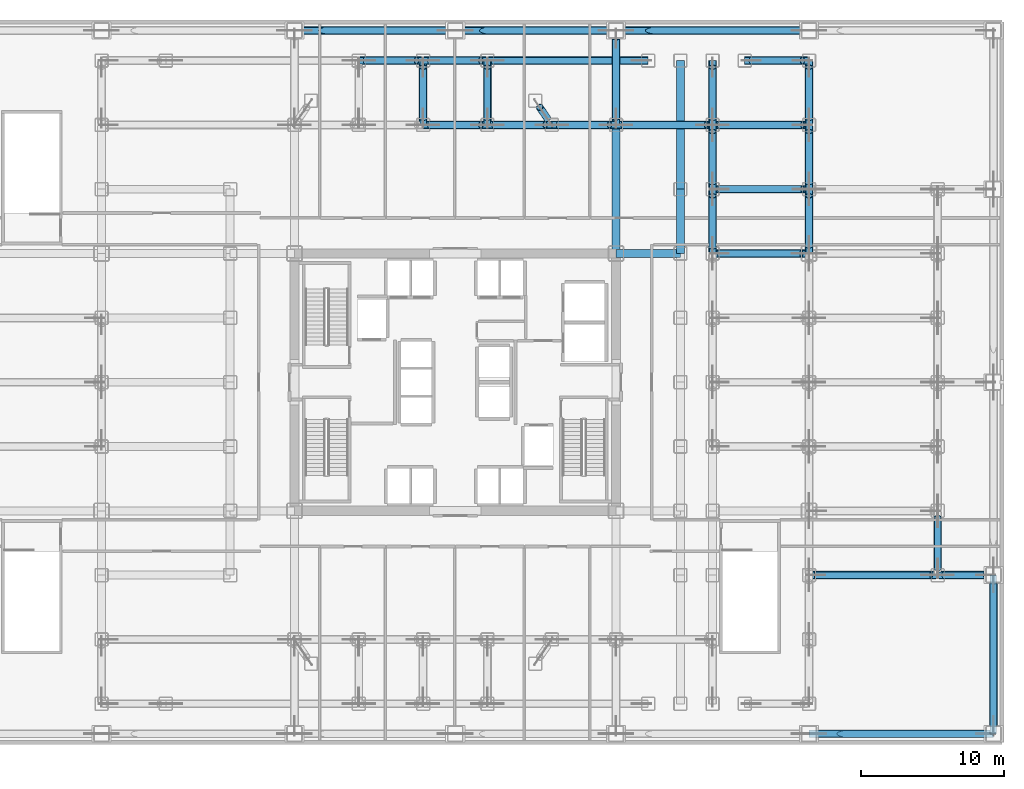
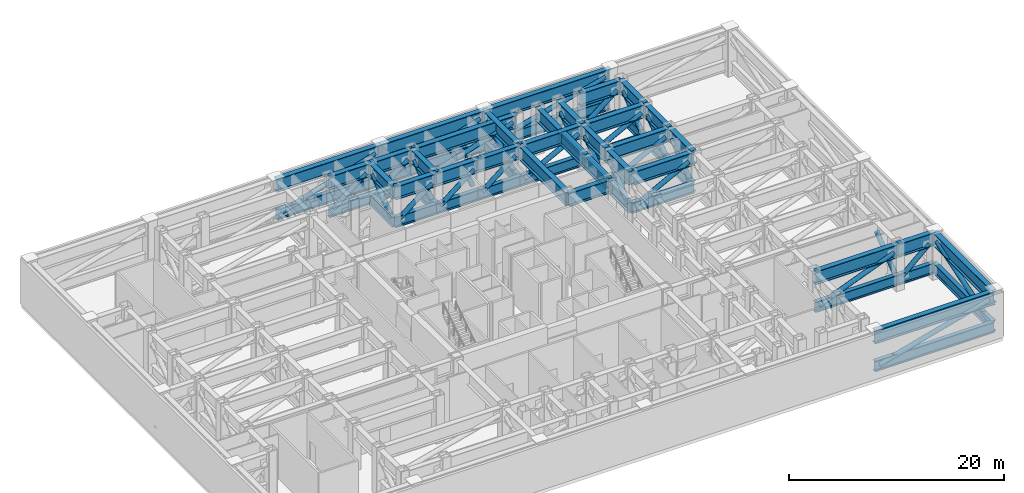
# One storey, part 4 of 17: 58 beams, 29 members.
"""IFC4 building model written with IfcOpenShell, lengths in metres."""

import ifcopenshell
import ifcopenshell.guid

model = None  # the IFC model being written
_history = None  # IfcOwnerHistory: only IFC2X3 demands one
_inside = {}  # id of a spatial element -> (the spatial element, [elements in it])
_under = {}  # id of a project, library or spatial element -> (it, [spatial elements below it])
_declared = {}  # id of a project -> (the project, [libraries it declares])
_typed = {}  # id of a type object -> (the type object, [elements of that type])
_made_of = {}  # id of a material, layer set ... -> (it, [elements and type objects made of it])


def new_model(schema):
    """Start an empty IFC model of exactly this schema.

    Asked for "IFC4X3", IfcOpenShell would pick the latest addendum, in which some entities
    have other attributes; the version numbers below select the first issue.
    IFC2X3 requires an IfcOwnerHistory on every rooted entity: one is made here for all.
    """
    global model, _history
    if schema == "IFC4X3":
        model = ifcopenshell.file(schema_version=(4, 3, 0, 0))
    else:
        model = ifcopenshell.file(schema=schema)
    _inside.clear()
    _under.clear()
    _declared.clear()
    _typed.clear()
    _made_of.clear()
    _history = None
    if model.schema == "IFC2X3":
        org = make("IfcOrganization", Name="unknown")
        user = make(
            "IfcPersonAndOrganization",
            ThePerson=make("IfcPerson", FamilyName="unknown"),
            TheOrganization=org,
        )
        app = make(
            "IfcApplication",
            ApplicationDeveloper=org,
            Version="unknown",
            ApplicationFullName="unknown",
            ApplicationIdentifier="unknown",
        )
        _history = make(
            "IfcOwnerHistory",
            OwningUser=user,
            OwningApplication=app,
            ChangeAction="ADDED",
            CreationDate=0,
        )
    return model


def make(cls, **values):
    """One entity of the class cls with the attributes given. An attribute that is None is left unset."""
    return model.create_entity(
        cls, **{name: value for name, value in values.items() if value is not None}
    )


def rooted(cls, **values):
    """An entity with a GlobalId (a new one), such as an element, a storey or a relation."""
    return make(cls, GlobalId=ifcopenshell.guid.new(), OwnerHistory=_history, **values)


def si_unit(unit_type, name, prefix=None):
    """IfcSIUnit, for example si_unit("LENGTHUNIT", "METRE", prefix="MILLI")."""
    return make("IfcSIUnit", UnitType=unit_type, Prefix=prefix, Name=name)


def assignment(units):
    """IfcUnitAssignment: the units of a project."""
    return None if units is None else make("IfcUnitAssignment", Units=units)


def point(xyz):
    """IfcCartesianPoint."""
    return None if xyz is None else make("IfcCartesianPoint", Coordinates=xyz)


def direction(xyz):
    """IfcDirection."""
    return None if xyz is None else make("IfcDirection", DirectionRatios=xyz)


def frame(location, z_axis=None, x_axis=None):
    """IfcAxis2Placement3D, a coordinate frame: its origin and axes. An axis left out is left unset."""
    return make(
        "IfcAxis2Placement3D",
        Location=point(location),
        Axis=direction(z_axis),
        RefDirection=direction(x_axis),
    )


def frame_2d(location, x_axis=None):
    """IfcAxis2Placement2D, a coordinate frame in the plane: its origin and x axis."""
    return make(
        "IfcAxis2Placement2D", Location=point(location), RefDirection=direction(x_axis)
    )


def origin():
    """The frame at (0, 0, 0) with its axes left unset."""
    return frame((0.0, 0.0, 0.0))


def origin_2d():
    """The frame at (0, 0) in the plane with its x axis left unset."""
    return frame_2d((0.0, 0.0))


def place(relative_to, where):
    """IfcLocalPlacement: puts the frame where relative to a parent placement (None: the world)."""
    return make(
        "IfcLocalPlacement", PlacementRelTo=relative_to, RelativePlacement=where
    )


def context(
    kind, dimensions, precision=None, world=None, true_north=None, identifier=None
):
    """IfcGeometricRepresentationContext, for example the 3D "Model" context."""
    return make(
        "IfcGeometricRepresentationContext",
        ContextIdentifier=identifier,
        ContextType=kind,
        CoordinateSpaceDimension=dimensions,
        Precision=precision,
        WorldCoordinateSystem=world,
        TrueNorth=true_north,
    )


def subcontext(parent, identifier, kind, view, scale=None):
    """IfcGeometricRepresentationSubContext, for example "Body" below "Model"."""
    return make(
        "IfcGeometricRepresentationSubContext",
        ContextIdentifier=identifier,
        ContextType=kind,
        ParentContext=parent,
        TargetScale=scale,
        TargetView=view,
    )


def project(units=None, contexts=None):
    """IfcProject with its units and contexts."""
    return rooted(
        "IfcProject",
        Name="project",
        RepresentationContexts=contexts,
        UnitsInContext=assignment(units),
    )


def spatial(cls, under=None, at=None, **own):
    """A site, building, storey or space (cls), placed at a placement, below another one or the project."""
    s = rooted(cls, ObjectPlacement=at, **own)
    if under is not None:
        _under.setdefault(under.id(), (under, []))[1].append(s)
    return s


def profile(cls, at=None, kind="AREA", **sizes):
    """A parametric profile (cls). Its sizes go by their IFC names, for example OverallWidth=200.0."""
    return make(cls, ProfileType=kind, Position=at, **sizes)


def hollow_circle(**sizes):
    """IfcCircleHollowProfileDef."""
    return profile("IfcCircleHollowProfileDef", **sizes)


def i_section(**sizes):
    """IfcIShapeProfileDef."""
    return profile("IfcIShapeProfileDef", **sizes)


def extrude(swept, where, along, depth):
    """IfcExtrudedAreaSolid: the profile swept, set in the frame where, extruded along a direction by depth."""
    return make(
        "IfcExtrudedAreaSolid",
        SweptArea=swept,
        Position=where,
        ExtrudedDirection=direction(along),
        Depth=depth,
    )


def shape(context_of_items, identifier, shape_type, items):
    """IfcShapeRepresentation: the items that make up one representation, for example the "Body"."""
    return make(
        "IfcShapeRepresentation",
        ContextOfItems=context_of_items,
        RepresentationIdentifier=identifier,
        RepresentationType=shape_type,
        Items=items,
    )


def source(mapping_origin, context_of_items, identifier, shape_type, items):
    """IfcRepresentationMap: a shape defined once, which mapped items show again and again."""
    return make(
        "IfcRepresentationMap",
        MappingOrigin=mapping_origin,
        MappedRepresentation=shape(context_of_items, identifier, shape_type, items),
    )


def transform(
    local_origin,
    x_axis=None,
    y_axis=None,
    z_axis=None,
    scale=None,
    scale2=None,
    scale3=None,
    uniform=True,
):
    """IfcCartesianTransformationOperator3D, or its non-uniform kind. x_axis, y_axis, z_axis: its Axis1, 2, 3."""
    if uniform:
        return make(
            "IfcCartesianTransformationOperator3D",
            Axis1=direction(x_axis),
            Axis2=direction(y_axis),
            LocalOrigin=point(local_origin),
            Scale=scale,
            Axis3=direction(z_axis),
        )
    return make(
        "IfcCartesianTransformationOperator3DnonUniform",
        Axis1=direction(x_axis),
        Axis2=direction(y_axis),
        LocalOrigin=point(local_origin),
        Scale=scale,
        Axis3=direction(z_axis),
        Scale2=scale2,
        Scale3=scale3,
    )


def mapped(mapping_source, mapping_target):
    """IfcMappedItem: shows the shape of a source again, moved by a transform."""
    return make(
        "IfcMappedItem", MappingSource=mapping_source, MappingTarget=mapping_target
    )


def material(Name=None, Category=None):
    """IfcMaterial."""
    return make("IfcMaterial", Name=Name, Category=Category)


def material_profile(
    of_material, cross_section, Name=None, Category=None, Priority=None
):
    """IfcMaterialProfile: a cross section and its material."""
    return make(
        "IfcMaterialProfile",
        Name=Name,
        Material=of_material,
        Profile=cross_section,
        Priority=Priority,
        Category=Category,
    )


def profile_set(profiles, Name=None, composite=None):
    """IfcMaterialProfileSet."""
    return make(
        "IfcMaterialProfileSet",
        Name=Name,
        MaterialProfiles=profiles,
        CompositeProfile=composite,
    )


def made_of(thing, what):
    """Note that an element or type object is made of a material, layer set ...; save() writes the relation."""
    if what is not None:
        _made_of.setdefault(what.id(), (what, []))[1].append(thing)
    return thing


def type_object(cls, material=None, **own):
    """A type object (cls), such as IfcWallType, which elements share."""
    return made_of(rooted(cls, **own), material)


def element(
    cls,
    number,
    at=None,
    inside=None,
    cuts=None,
    type_object=None,
    material=None,
    context=None,
    identifier="Body",
    shape_type=None,
    held_by="IfcProductDefinitionShape",
    body=None,
    shapes=None,
    **own,
):
    """One element of the class cls, such as IfcWall. Its Tag is "e" and its number.

    at: its placement. inside: the storey or other place that contains it. cuts: it is an
    opening in that element (IfcRelVoidsElement). A single representation is given by context,
    identifier, shape_type and body (its items); several are given by shapes. held_by: the class
    of the entity that holds the representations. save() writes the other relations.
    """
    e = rooted(cls, Tag="e%d" % number, ObjectPlacement=at, **own)
    if body is not None:
        shapes = [shape(context, identifier, shape_type, body)]
    if shapes is not None:
        e.Representation = make(held_by, Representations=shapes)
    if inside is not None:
        _inside.setdefault(inside.id(), (inside, []))[1].append(e)
    if cuts is not None:
        rooted(
            "IfcRelVoidsElement", RelatingBuildingElement=cuts, RelatedOpeningElement=e
        )
    if type_object is not None:
        _typed.setdefault(type_object.id(), (type_object, []))[1].append(e)
    return made_of(e, material)


def aggregate(whole, parts):
    """IfcRelAggregates: a whole, such as a stair, and the parts it consists of."""
    return rooted("IfcRelAggregates", RelatingObject=whole, RelatedObjects=parts)


def save(model, path):
    """Write the relations noted so far, then the file.

    IfcRelAggregates (storeys below a building ...), IfcRelContainedInSpatialStructure (elements
    in a storey), IfcRelDefinesByType, IfcRelAssociatesMaterial and IfcRelDeclares: one each for
    every whole, place, type object, material and project.
    """
    for whole, parts in _under.values():
        aggregate(whole, parts)
    for where, things in _inside.values():
        rooted(
            "IfcRelContainedInSpatialStructure",
            RelatedElements=things,
            RelatingStructure=where,
        )
    for kind, things in _typed.values():
        rooted("IfcRelDefinesByType", RelatedObjects=things, RelatingType=kind)
    for what, things in _made_of.values():
        rooted("IfcRelAssociatesMaterial", RelatedObjects=things, RelatingMaterial=what)
    for by, libraries in _declared.values():
        rooted("IfcRelDeclares", RelatingContext=by, RelatedDefinitions=libraries)
    model.write(path)


model = new_model("IFC4")

# Units and contexts
model_context = context("Model", 3, precision=1e-05, world=origin(), true_north=direction((0.0, 1.0)))
body_context = subcontext(model_context, "Body", "Model", "MODEL_VIEW")
ifc_project = project(units=[si_unit("LENGTHUNIT", "METRE"), si_unit("AREAUNIT", "SQUARE_METRE"), si_unit("VOLUMEUNIT", "CUBIC_METRE"), si_unit("PLANEANGLEUNIT", "RADIAN"), si_unit("MASSUNIT", "GRAM", prefix="KILO")], contexts=[model_context])

# Site, building, storey
site_placement = place(None, origin())
site = spatial("IfcSite", under=ifc_project, at=site_placement, CompositionType="ELEMENT")
building_placement = place(site_placement, origin())
building = spatial("IfcBuilding", under=site, at=building_placement, Name="Nefas-Gora Pilgrimage Tower", CompositionType="ELEMENT")
storey_placement = place(building_placement, frame((0.0, 0.0, 27.60009765625)))
storey = spatial("IfcBuildingStorey", under=building, at=storey_placement, Name="L05", CompositionType="ELEMENT", Elevation=27.60009765625)

# Beams
ifc_material = material(Name="Steel S460", Category="steel")
ifc_material_profile_1 = material_profile(ifc_material, i_section(OverallWidth=0.550048828125, OverallDepth=1.5, WebThickness=0.031982421875, FlangeThickness=0.06005859375, FilletRadius=0.02392578125, at=origin_2d()), Name="WPG 1500x550x32x60")
ifc_profile_set_1 = profile_set([ifc_material_profile_1], Name="Steel S460")
beam_type_1 = type_object("IfcBeamType", Name="BM-TR-1500", PredefinedType="BEAM", material=ifc_profile_set_1)
shared_shape_1 = source(origin(), body_context, "Body", "SweptSolid", [
    extrude(i_section(OverallWidth=0.550048828125, OverallDepth=1.5, WebThickness=0.031982421875, FlangeThickness=0.06005859375, FilletRadius=0.02392578125, at=origin_2d()), origin(), (0.0, 0.0, 1.0), 13.5),
])
beam_1_placement = place(storey_placement, frame((11.25, 24.60009765625, 4.39990234375), z_axis=(1.0, 0.0, 0.0), x_axis=(0.0, 1.0, 0.0)))
element("IfcBeam", 1, at=beam_1_placement, inside=storey, type_object=beam_type_1, Name="L05 Transfer Truss Top Chord TB-01.93", PredefinedType="BEAM", context=body_context, shape_type="MappedRepresentation", body=[
    mapped(shared_shape_1, transform((0.0, 0.0, 0.0), x_axis=(1.0, 0.0, 0.0), y_axis=(0.0, 1.0, 0.0), z_axis=(0.0, 0.0, 1.0), scale=1.0)),
])
shared_shape_2 = source(origin(), body_context, "Body", "SweptSolid", [
    extrude(i_section(OverallWidth=0.550048828125, OverallDepth=1.5, WebThickness=0.031982421875, FlangeThickness=0.06005859375, FilletRadius=0.02392578125, at=origin_2d()), origin(), (0.0, 0.0, 1.0), 11.10009765625),
])
beam_2_placement = place(storey_placement, frame((37.64990234375, -24.60009765625, 4.39990234375), z_axis=(0.0, 1.0, 0.0), x_axis=(-1.0, 0.0, 0.0)))
element("IfcBeam", 2, at=beam_2_placement, inside=storey, type_object=beam_type_1, Name="L05 Transfer Truss Top Chord TB-01.149", PredefinedType="BEAM", context=body_context, shape_type="MappedRepresentation", body=[
    mapped(shared_shape_2, transform((0.0, 0.0, 0.0), x_axis=(1.0, 0.0, 0.0), y_axis=(0.0, 1.0, 0.0), z_axis=(0.0, 0.0, 1.0), scale=1.0)),
])
ifc_material_profile_2 = material_profile(ifc_material, i_section(OverallWidth=0.449951171875, OverallDepth=1.199951171875, WebThickness=0.028076171875, FlangeThickness=0.050048828125, FilletRadius=0.02392578125, at=origin_2d()), Name="WPG 1200x450x28x50")
ifc_profile_set_2 = profile_set([ifc_material_profile_2], Name="Steel S460")
beam_type_2 = type_object("IfcBeamType", Name="BM-TR-1200", PredefinedType="BEAM", material=ifc_profile_set_2)
shared_shape_3 = source(origin(), body_context, "Body", "SweptSolid", [
    extrude(i_section(OverallWidth=0.449951171875, OverallDepth=1.199951171875, WebThickness=0.028076171875, FlangeThickness=0.050048828125, FilletRadius=0.02392578125, at=origin_2d()), origin(), (0.0, 0.0, 1.0), 11.10009765625),
])
beam_3_placement = place(storey_placement, frame((37.64990234375, -24.60009765625, 1.0498046875), z_axis=(0.0, 1.0, 0.0), x_axis=(-1.0, 0.0, 0.0)))
element("IfcBeam", 3, at=beam_3_placement, inside=storey, type_object=beam_type_2, Name="L05 Transfer Truss Bottom Chord TB-02.149", PredefinedType="BEAM", context=body_context, shape_type="MappedRepresentation", body=[
    mapped(shared_shape_3, transform((0.0, 0.0, 0.0), x_axis=(1.0, 0.0, 0.0), y_axis=(0.0, 1.0, 0.0), z_axis=(0.0, 0.0, 1.0), scale=1.0)),
])

# Member
ifc_material_profile_3 = material_profile(ifc_material, hollow_circle(Radius=0.25390625, WallThickness=0.031982421875, at=origin_2d()), Name="CHS 508x32")
ifc_profile_set_3 = profile_set([ifc_material_profile_3], Name="Steel S460")
member_type = type_object("IfcMemberType", Name="MEM-TRUSS-508", PredefinedType="BRACE", material=ifc_profile_set_3)
shared_shape_4 = source(origin(), body_context, "Body", "SweptSolid", [
    extrude(hollow_circle(Radius=0.25390625, WallThickness=0.031982421875, at=origin_2d()), origin(), (0.0, 0.0, 1.0), 10.524169921875),
])
member_1_placement = place(storey_placement, frame((37.64990234375, -24.06201171875, 1.02197265625), z_axis=(0.0, 0.952475042188, 0.304616634492), x_axis=(-1.0, 0.0, 0.0)))
element("IfcMember", 4, at=member_1_placement, inside=storey, type_object=member_type, Name="L05 Transfer Truss Web Diagonal TBR-01.149", PredefinedType="BRACE", context=body_context, shape_type="MappedRepresentation", body=[
    mapped(shared_shape_4, transform((0.0, 0.0, 0.0), x_axis=(1.0, 0.0, 0.0), y_axis=(0.0, 1.0, 0.0), z_axis=(0.0, 0.0, 1.0), scale=1.0)),
])

# Beams
shared_shape_5 = source(origin(), body_context, "Body", "SweptSolid", [
    extrude(i_section(OverallWidth=0.550048828125, OverallDepth=1.5, WebThickness=0.031982421875, FlangeThickness=0.06005859375, FilletRadius=0.02392578125, at=origin_2d()), origin(), (0.0, 0.0, 1.0), 12.89990234375),
])
beam_4_placement = place(storey_placement, frame((24.75, -24.60009765625, 4.39990234375), z_axis=(1.0, 0.0, 0.0), x_axis=(0.0, 1.0, 0.0)))
element("IfcBeam", 5, at=beam_4_placement, inside=storey, type_object=beam_type_1, Name="L05 Transfer Truss Top Chord TB-01.121", PredefinedType="BEAM", context=body_context, shape_type="MappedRepresentation", body=[
    mapped(shared_shape_5, transform((0.0, 0.0, 0.0), x_axis=(1.0, 0.0, 0.0), y_axis=(0.0, 1.0, 0.0), z_axis=(0.0, 0.0, 1.0), scale=1.0)),
])
shared_shape_6 = source(origin(), body_context, "Body", "SweptSolid", [
    extrude(i_section(OverallWidth=0.449951171875, OverallDepth=1.199951171875, WebThickness=0.028076171875, FlangeThickness=0.050048828125, FilletRadius=0.02392578125, at=origin_2d()), origin(), (0.0, 0.0, 1.0), 12.89990234375),
])
beam_5_placement = place(storey_placement, frame((24.75, -24.60009765625, 1.0498046875), z_axis=(1.0, 0.0, 0.0), x_axis=(0.0, 1.0, 0.0)))
element("IfcBeam", 6, at=beam_5_placement, inside=storey, type_object=beam_type_2, Name="L05 Transfer Truss Bottom Chord TB-02.121", PredefinedType="BEAM", context=body_context, shape_type="MappedRepresentation", body=[
    mapped(shared_shape_6, transform((0.0, 0.0, 0.0), x_axis=(1.0, 0.0, 0.0), y_axis=(0.0, 1.0, 0.0), z_axis=(0.0, 0.0, 1.0), scale=1.0)),
])

# Member
shared_shape_7 = source(origin(), body_context, "Body", "SweptSolid", [
    extrude(hollow_circle(Radius=0.25390625, WallThickness=0.031982421875, at=origin_2d()), origin(), (0.0, 0.0, 1.0), 12.263427734375),
])
member_2_placement = place(storey_placement, frame((25.2880859375, -24.60009765625, 0.998046875), z_axis=(0.964162244211, 0.0, 0.26531333709), x_axis=(0.0, 1.0, 0.0)))
element("IfcMember", 7, at=member_2_placement, inside=storey, type_object=member_type, Name="L05 Transfer Truss Web Diagonal TBR-01.121", PredefinedType="BRACE", context=body_context, shape_type="MappedRepresentation", body=[
    mapped(shared_shape_7, transform((0.0, 0.0, 0.0), x_axis=(1.0, 0.0, 0.0), y_axis=(0.0, 1.0, 0.0), z_axis=(0.0, 0.0, 1.0), scale=1.0)),
])

# Beam
shared_shape_8 = source(origin(), body_context, "Body", "SweptSolid", [
    extrude(i_section(OverallWidth=0.449951171875, OverallDepth=1.199951171875, WebThickness=0.028076171875, FlangeThickness=0.050048828125, FilletRadius=0.02392578125, at=origin_2d()), origin(), (0.0, 0.0, 1.0), 13.5),
])
beam_6_placement = place(storey_placement, frame((11.25, 24.60009765625, 1.0498046875), z_axis=(1.0, 0.0, 0.0), x_axis=(0.0, 1.0, 0.0)))
element("IfcBeam", 8, at=beam_6_placement, inside=storey, type_object=beam_type_2, Name="L05 Transfer Truss Bottom Chord TB-02.93", PredefinedType="BEAM", context=body_context, shape_type="MappedRepresentation", body=[
    mapped(shared_shape_8, transform((0.0, 0.0, 0.0), x_axis=(1.0, 0.0, 0.0), y_axis=(0.0, 1.0, 0.0), z_axis=(0.0, 0.0, 1.0), scale=1.0)),
])

# Member
shared_shape_9 = source(origin(), body_context, "Body", "SweptSolid", [
    extrude(hollow_circle(Radius=0.25390625, WallThickness=0.031982421875, at=origin_2d()), origin(), (0.0, 0.0, 1.0), 12.84619140625),
])
member_3_placement = place(storey_placement, frame((11.7880859375, 24.60009765625, 0.991455078125), z_axis=(0.967124000788, 0.0, 0.254305263609), x_axis=(0.0, 1.0, 0.0)))
element("IfcMember", 9, at=member_3_placement, inside=storey, type_object=member_type, Name="L05 Transfer Truss Web Diagonal TBR-01.93", PredefinedType="BRACE", context=body_context, shape_type="MappedRepresentation", body=[
    mapped(shared_shape_9, transform((0.0, 0.0, 0.0), x_axis=(1.0, 0.0, 0.0), y_axis=(0.0, 1.0, 0.0), z_axis=(0.0, 0.0, 1.0), scale=1.0)),
])

# Beams
shared_shape_10 = source(origin(), body_context, "Body", "SweptSolid", [
    extrude(i_section(OverallWidth=0.550048828125, OverallDepth=1.5, WebThickness=0.031982421875, FlangeThickness=0.06005859375, FilletRadius=0.02392578125, at=origin_2d()), origin(), (0.0, 0.0, 1.0), 3.89990234375),
])
beam_7_placement = place(storey_placement, frame((33.75, -13.5, 4.39990234375), z_axis=(1.0, 0.0, 0.0), x_axis=(0.0, 1.0, 0.0)))
element("IfcBeam", 10, at=beam_7_placement, inside=storey, type_object=beam_type_1, Name="L05 Transfer Truss Top Chord TB-01.141", PredefinedType="BEAM", context=body_context, shape_type="MappedRepresentation", body=[
    mapped(shared_shape_10, transform((0.0, 0.0, 0.0), x_axis=(1.0, 0.0, 0.0), y_axis=(0.0, 1.0, 0.0), z_axis=(0.0, 0.0, 1.0), scale=1.0)),
])
shared_shape_11 = source(origin(), body_context, "Body", "SweptSolid", [
    extrude(i_section(OverallWidth=0.449951171875, OverallDepth=1.199951171875, WebThickness=0.028076171875, FlangeThickness=0.050048828125, FilletRadius=0.02392578125, at=origin_2d()), origin(), (0.0, 0.0, 1.0), 3.89990234375),
])
beam_8_placement = place(storey_placement, frame((33.75, -13.5, 1.0498046875), z_axis=(1.0, 0.0, 0.0), x_axis=(0.0, 1.0, 0.0)))
element("IfcBeam", 11, at=beam_8_placement, inside=storey, type_object=beam_type_2, Name="L05 Transfer Truss Bottom Chord TB-02.141", PredefinedType="BEAM", context=body_context, shape_type="MappedRepresentation", body=[
    mapped(shared_shape_11, transform((0.0, 0.0, 0.0), x_axis=(1.0, 0.0, 0.0), y_axis=(0.0, 1.0, 0.0), z_axis=(0.0, 0.0, 1.0), scale=1.0)),
])

# Member
shared_shape_12 = source(origin(), body_context, "Body", "SweptSolid", [
    extrude(hollow_circle(Radius=0.25390625, WallThickness=0.031982421875, at=origin_2d()), origin(), (0.0, 0.0, 1.0), 3.92041015625),
])
member_4_placement = place(storey_placement, frame((34.212890625, -13.5, 1.271240234375), z_axis=(0.739520063615, 0.0, 0.673134515168), x_axis=(0.0, 1.0, 0.0)))
element("IfcMember", 12, at=member_4_placement, inside=storey, type_object=member_type, Name="L05 Transfer Truss Web Diagonal TBR-01.141", PredefinedType="BRACE", context=body_context, shape_type="MappedRepresentation", body=[
    mapped(shared_shape_12, transform((0.0, 0.0, 0.0), x_axis=(1.0, 0.0, 0.0), y_axis=(0.0, 1.0, 0.0), z_axis=(0.0, 0.0, 1.0), scale=1.0)),
])

# Beams
shared_shape_13 = source(origin(), body_context, "Body", "SweptSolid", [
    extrude(i_section(OverallWidth=0.550048828125, OverallDepth=1.5, WebThickness=0.031982421875, FlangeThickness=0.06005859375, FilletRadius=0.02392578125, at=origin_2d()), origin(), (0.0, 0.0, 1.0), 4.5),
])
for number, where, z_axis, x_axis, name in (
    (13, (-6.75, 22.5, 4.39990234375), (1.0, 0.0, 0.0), (0.0, 1.0, 0.0), "L05 Transfer Truss Top Chord TB-01.67"),
    (14, (-2.25, 18.0, 4.39990234375), (0.0, 1.0, 0.0), (-1.0, 0.0, 0.0), "L05 Transfer Truss Top Chord TB-01.71"),
    (15, (-2.25, 18.0, 4.39990234375), (1.0, 0.0, 0.0), (0.0, 1.0, 0.0), "L05 Transfer Truss Top Chord TB-01.72"),
    (16, (-2.25, 22.5, 4.39990234375), (1.0, 0.0, 0.0), (0.0, 1.0, 0.0), "L05 Transfer Truss Top Chord TB-01.73"),
    (17, (2.25, 18.0, 4.39990234375), (0.0, 1.0, 0.0), (-1.0, 0.0, 0.0), "L05 Transfer Truss Top Chord TB-01.79"),
    (18, (2.25, 18.0, 4.39990234375), (1.0, 0.0, 0.0), (0.0, 1.0, 0.0), "L05 Transfer Truss Top Chord TB-01.80"),
    (19, (6.75, 18.0, 4.39990234375), (1.0, 0.0, 0.0), (0.0, 1.0, 0.0), "L05 Transfer Truss Top Chord TB-01.83"),
    (20, (11.25, 9.0, 4.39990234375), (1.0, 0.0, 0.0), (0.0, 1.0, 0.0), "L05 Transfer Truss Top Chord TB-01.90"),
    (21, (15.75, 9.0, 4.39990234375), (0.0, 1.0, 0.0), (-1.0, 0.0, 0.0), "L05 Transfer Truss Top Chord TB-01.100"),
    (22, (18.0, 9.0, 4.39990234375), (0.0, 1.0, 0.0), (-1.0, 0.0, 0.0), "L05 Transfer Truss Top Chord TB-01.113"),
    (23, (18.0, 13.5, 4.39990234375), (0.0, 1.0, 0.0), (-1.0, 0.0, 0.0), "L05 Transfer Truss Top Chord TB-01.115"),
    (24, (18.0, 18.0, 4.39990234375), (0.0, 1.0, 0.0), (-1.0, 0.0, 0.0), "L05 Transfer Truss Top Chord TB-01.117"),
    (25, (20.25, 22.5, 4.39990234375), (1.0, 0.0, 0.0), (0.0, 1.0, 0.0), "L05 Transfer Truss Top Chord TB-01.120"),
    (26, (24.75, 9.0, 4.39990234375), (0.0, 1.0, 0.0), (-1.0, 0.0, 0.0), "L05 Transfer Truss Top Chord TB-01.134"),
    (27, (24.75, 13.5, 4.39990234375), (0.0, 1.0, 0.0), (-1.0, 0.0, 0.0), "L05 Transfer Truss Top Chord TB-01.136"),
    (28, (24.75, 18.0, 4.39990234375), (0.0, 1.0, 0.0), (-1.0, 0.0, 0.0), "L05 Transfer Truss Top Chord TB-01.138"),
):
    element("IfcBeam", number, at=place(storey_placement, frame(where, z_axis=z_axis, x_axis=x_axis)), inside=storey, type_object=beam_type_1, Name=name, PredefinedType="BEAM", context=body_context, shape_type="MappedRepresentation", body=[
        mapped(shared_shape_13, transform((0.0, 0.0, 0.0), x_axis=(1.0, 0.0, 0.0), y_axis=(0.0, 1.0, 0.0), z_axis=(0.0, 0.0, 1.0), scale=1.0)),
    ])
shared_shape_14 = source(origin(), body_context, "Body", "SweptSolid", [
    extrude(i_section(OverallWidth=0.449951171875, OverallDepth=1.199951171875, WebThickness=0.028076171875, FlangeThickness=0.050048828125, FilletRadius=0.02392578125, at=origin_2d()), origin(), (0.0, 0.0, 1.0), 4.5),
])
for number, where, z_axis, x_axis, name in (
    (29, (-6.75, 22.5, 1.0498046875), (1.0, 0.0, 0.0), (0.0, 1.0, 0.0), "L05 Transfer Truss Bottom Chord TB-02.67"),
    (30, (-2.25, 18.0, 1.0498046875), (0.0, 1.0, 0.0), (-1.0, 0.0, 0.0), "L05 Transfer Truss Bottom Chord TB-02.71"),
    (31, (-2.25, 18.0, 1.0498046875), (1.0, 0.0, 0.0), (0.0, 1.0, 0.0), "L05 Transfer Truss Bottom Chord TB-02.72"),
    (32, (-2.25, 22.5, 1.0498046875), (1.0, 0.0, 0.0), (0.0, 1.0, 0.0), "L05 Transfer Truss Bottom Chord TB-02.73"),
    (33, (2.25, 18.0, 1.0498046875), (0.0, 1.0, 0.0), (-1.0, 0.0, 0.0), "L05 Transfer Truss Bottom Chord TB-02.79"),
    (34, (2.25, 18.0, 1.0498046875), (1.0, 0.0, 0.0), (0.0, 1.0, 0.0), "L05 Transfer Truss Bottom Chord TB-02.80"),
    (35, (6.75, 18.0, 1.0498046875), (1.0, 0.0, 0.0), (0.0, 1.0, 0.0), "L05 Transfer Truss Bottom Chord TB-02.83"),
    (36, (18.0, 9.0, 1.0498046875), (0.0, 1.0, 0.0), (-1.0, 0.0, 0.0), "L05 Transfer Truss Bottom Chord TB-02.113"),
    (37, (18.0, 13.5, 1.0498046875), (0.0, 1.0, 0.0), (-1.0, 0.0, 0.0), "L05 Transfer Truss Bottom Chord TB-02.115"),
    (38, (18.0, 18.0, 1.0498046875), (0.0, 1.0, 0.0), (-1.0, 0.0, 0.0), "L05 Transfer Truss Bottom Chord TB-02.117"),
    (39, (20.25, 22.5, 1.0498046875), (1.0, 0.0, 0.0), (0.0, 1.0, 0.0), "L05 Transfer Truss Bottom Chord TB-02.120"),
    (40, (24.75, 9.0, 1.0498046875), (0.0, 1.0, 0.0), (-1.0, 0.0, 0.0), "L05 Transfer Truss Bottom Chord TB-02.134"),
    (41, (24.75, 13.5, 1.0498046875), (0.0, 1.0, 0.0), (-1.0, 0.0, 0.0), "L05 Transfer Truss Bottom Chord TB-02.136"),
    (42, (24.75, 18.0, 1.0498046875), (0.0, 1.0, 0.0), (-1.0, 0.0, 0.0), "L05 Transfer Truss Bottom Chord TB-02.138"),
):
    element("IfcBeam", number, at=place(storey_placement, frame(where, z_axis=z_axis, x_axis=x_axis)), inside=storey, type_object=beam_type_2, Name=name, PredefinedType="BEAM", context=body_context, shape_type="MappedRepresentation", body=[
        mapped(shared_shape_14, transform((0.0, 0.0, 0.0), x_axis=(1.0, 0.0, 0.0), y_axis=(0.0, 1.0, 0.0), z_axis=(0.0, 0.0, 1.0), scale=1.0)),
    ])

# Members
shared_shape_15 = source(origin(), body_context, "Body", "SweptSolid", [
    extrude(hollow_circle(Radius=0.25390625, WallThickness=0.031982421875, at=origin_2d()), origin(), (0.0, 0.0, 1.0), 4.552490234375),
])
for number, where, z_axis, x_axis, name in (
    (43, (-6.287109375, 22.5, 1.215087890625), (0.785114702189, 0.0, 0.619350389042), (0.0, 1.0, 0.0), "L05 Transfer Truss Web Diagonal TBR-01.67"),
    (44, (-2.25, 18.462890625, 1.215087890625), (0.0, 0.785114702189, 0.619350389042), (-1.0, 0.0, 0.0), "L05 Transfer Truss Web Diagonal TBR-01.71"),
    (45, (-1.787109375, 18.0, 1.215087890625), (0.785114702189, 0.0, 0.619350389042), (0.0, 1.0, 0.0), "L05 Transfer Truss Web Diagonal TBR-01.72"),
    (46, (-1.787109375, 22.5, 1.215087890625), (0.785114702189, 0.0, 0.619350389042), (0.0, 1.0, 0.0), "L05 Transfer Truss Web Diagonal TBR-01.73"),
    (47, (2.25, 18.462890625, 1.215087890625), (0.0, 0.785114702189, 0.619350389042), (-1.0, 0.0, 0.0), "L05 Transfer Truss Web Diagonal TBR-01.79"),
    (48, (2.712890625, 18.0, 1.215087890625), (0.785114702189, 0.0, 0.619350389042), (0.0, 1.0, 0.0), "L05 Transfer Truss Web Diagonal TBR-01.80"),
    (49, (7.212890625, 18.0, 1.215087890625), (0.785114702189, 0.0, 0.619350389042), (0.0, 1.0, 0.0), "L05 Transfer Truss Web Diagonal TBR-01.83"),
    (50, (18.0, 9.462890625, 1.215087890625), (0.0, 0.785114702189, 0.619350389042), (-1.0, 0.0, 0.0), "L05 Transfer Truss Web Diagonal TBR-01.113"),
    (51, (18.0, 13.962890625, 1.215087890625), (0.0, 0.785114702189, 0.619350389042), (-1.0, 0.0, 0.0), "L05 Transfer Truss Web Diagonal TBR-01.115"),
    (52, (18.0, 18.462890625, 1.215087890625), (0.0, 0.785114702189, 0.619350389042), (-1.0, 0.0, 0.0), "L05 Transfer Truss Web Diagonal TBR-01.117"),
    (53, (20.712890625, 22.5, 1.215087890625), (0.785114702189, 0.0, 0.619350389042), (0.0, 1.0, 0.0), "L05 Transfer Truss Web Diagonal TBR-01.120"),
    (54, (24.75, 13.962890625, 1.215087890625), (0.0, 0.785114702189, 0.619350389042), (-1.0, 0.0, 0.0), "L05 Transfer Truss Web Diagonal TBR-01.136"),
    (55, (24.75, 18.462890625, 1.215087890625), (0.0, 0.785114702189, 0.619350389042), (-1.0, 0.0, 0.0), "L05 Transfer Truss Web Diagonal TBR-01.138"),
    (56, (33.75, -13.037109375, 1.215087890625), (0.0, 0.785114702189, 0.619350389042), (-1.0, 0.0, 0.0), "L05 Transfer Truss Web Diagonal TBR-01.140"),
):
    element("IfcMember", number, at=place(storey_placement, frame(where, z_axis=z_axis, x_axis=x_axis)), inside=storey, type_object=member_type, Name=name, PredefinedType="BRACE", context=body_context, shape_type="MappedRepresentation", body=[
        mapped(shared_shape_15, transform((0.0, 0.0, 0.0), x_axis=(1.0, 0.0, 0.0), y_axis=(0.0, 1.0, 0.0), z_axis=(0.0, 0.0, 1.0), scale=1.0)),
    ])

# Beams
shared_shape_16 = source(origin(), body_context, "Body", "SweptSolid", [
    extrude(i_section(OverallWidth=0.550048828125, OverallDepth=1.5, WebThickness=0.031982421875, FlangeThickness=0.06005859375, FilletRadius=0.02392578125, at=origin_2d()), origin(), (0.0, 0.0, 1.0), 9.0),
])
for number, where, z_axis, x_axis, name in (
    (57, (11.25, 9.0, 4.39990234375), (0.0, 1.0, 0.0), (-1.0, 0.0, 0.0), "L05 Transfer Truss Top Chord TB-01.89"),
    (58, (15.75, 13.5, 4.39990234375), (0.0, 1.0, 0.0), (-1.0, 0.0, 0.0), "L05 Transfer Truss Top Chord TB-01.101"),
    (59, (24.75, -13.5, 4.39990234375), (1.0, 0.0, 0.0), (0.0, 1.0, 0.0), "L05 Transfer Truss Top Chord TB-01.125"),
):
    element("IfcBeam", number, at=place(storey_placement, frame(where, z_axis=z_axis, x_axis=x_axis)), inside=storey, type_object=beam_type_1, Name=name, PredefinedType="BEAM", context=body_context, shape_type="MappedRepresentation", body=[
        mapped(shared_shape_16, transform((0.0, 0.0, 0.0), x_axis=(1.0, 0.0, 0.0), y_axis=(0.0, 1.0, 0.0), z_axis=(0.0, 0.0, 1.0), scale=1.0)),
    ])
shared_shape_17 = source(origin(), body_context, "Body", "SweptSolid", [
    extrude(i_section(OverallWidth=0.449951171875, OverallDepth=1.199951171875, WebThickness=0.028076171875, FlangeThickness=0.050048828125, FilletRadius=0.02392578125, at=origin_2d()), origin(), (0.0, 0.0, 1.0), 9.0),
])
beam_9_placement = place(storey_placement, frame((24.75, -13.5, 1.0498046875), z_axis=(1.0, 0.0, 0.0), x_axis=(0.0, 1.0, 0.0)))
element("IfcBeam", 60, at=beam_9_placement, inside=storey, type_object=beam_type_2, Name="L05 Transfer Truss Bottom Chord TB-02.125", PredefinedType="BEAM", context=body_context, shape_type="MappedRepresentation", body=[
    mapped(shared_shape_17, transform((0.0, 0.0, 0.0), x_axis=(1.0, 0.0, 0.0), y_axis=(0.0, 1.0, 0.0), z_axis=(0.0, 0.0, 1.0), scale=1.0)),
])

# Member
shared_shape_18 = source(origin(), body_context, "Body", "SweptSolid", [
    extrude(hollow_circle(Radius=0.25390625, WallThickness=0.031982421875, at=origin_2d()), origin(), (0.0, 0.0, 1.0), 8.6796875),
])
member_5_placement = place(storey_placement, frame((25.212890625, -13.5, 1.032470703125), z_axis=(0.930248726391, 0.0, 0.366929566877), x_axis=(0.0, 1.0, 0.0)))
element("IfcMember", 61, at=member_5_placement, inside=storey, type_object=member_type, Name="L05 Transfer Truss Web Diagonal TBR-01.125", PredefinedType="BRACE", context=body_context, shape_type="MappedRepresentation", body=[
    mapped(shared_shape_18, transform((0.0, 0.0, 0.0), x_axis=(1.0, 0.0, 0.0), y_axis=(0.0, 1.0, 0.0), z_axis=(0.0, 0.0, 1.0), scale=1.0)),
])

# Beams
shared_shape_19 = source(origin(), body_context, "Body", "SweptSolid", [
    extrude(i_section(OverallWidth=0.550048828125, OverallDepth=1.5, WebThickness=0.031982421875, FlangeThickness=0.06005859375, FilletRadius=0.02392578125, at=origin_2d()), origin(), (0.0, 0.0, 1.0), 6.60009765625),
])
beam_10_placement = place(storey_placement, frame((11.25, 18.0, 4.39990234375), z_axis=(0.0, 1.0, 0.0), x_axis=(-1.0, 0.0, 0.0)))
element("IfcBeam", 62, at=beam_10_placement, inside=storey, type_object=beam_type_1, Name="L05 Transfer Truss Top Chord TB-01.91", PredefinedType="BEAM", context=body_context, shape_type="MappedRepresentation", body=[
    mapped(shared_shape_19, transform((0.0, 0.0, 0.0), x_axis=(1.0, 0.0, 0.0), y_axis=(0.0, 1.0, 0.0), z_axis=(0.0, 0.0, 1.0), scale=1.0)),
])
shared_shape_20 = source(origin(), body_context, "Body", "SweptSolid", [
    extrude(i_section(OverallWidth=0.449951171875, OverallDepth=1.199951171875, WebThickness=0.028076171875, FlangeThickness=0.050048828125, FilletRadius=0.02392578125, at=origin_2d()), origin(), (0.0, 0.0, 1.0), 6.60009765625),
])
beam_11_placement = place(storey_placement, frame((11.25, 18.0, 1.0498046875), z_axis=(0.0, 1.0, 0.0), x_axis=(-1.0, 0.0, 0.0)))
element("IfcBeam", 63, at=beam_11_placement, inside=storey, type_object=beam_type_2, Name="L05 Transfer Truss Bottom Chord TB-02.91", PredefinedType="BEAM", context=body_context, shape_type="MappedRepresentation", body=[
    mapped(shared_shape_20, transform((0.0, 0.0, 0.0), x_axis=(1.0, 0.0, 0.0), y_axis=(0.0, 1.0, 0.0), z_axis=(0.0, 0.0, 1.0), scale=1.0)),
])

# Member
shared_shape_21 = source(origin(), body_context, "Body", "SweptSolid", [
    extrude(hollow_circle(Radius=0.25390625, WallThickness=0.031982421875, at=origin_2d()), origin(), (0.0, 0.0, 1.0), 6.357666015625),
])
member_6_placement = place(storey_placement, frame((11.25, 18.462890625, 1.098876953125), z_axis=(0.0, 0.880680632119, 0.473710485646), x_axis=(-1.0, 0.0, 0.0)))
element("IfcMember", 64, at=member_6_placement, inside=storey, type_object=member_type, Name="L05 Transfer Truss Web Diagonal TBR-01.91", PredefinedType="BRACE", context=body_context, shape_type="MappedRepresentation", body=[
    mapped(shared_shape_21, transform((0.0, 0.0, 0.0), x_axis=(1.0, 0.0, 0.0), y_axis=(0.0, 1.0, 0.0), z_axis=(0.0, 0.0, 1.0), scale=1.0)),
])

# Beams
shared_shape_22 = source(origin(), body_context, "Body", "SweptSolid", [
    extrude(i_section(OverallWidth=0.550048828125, OverallDepth=1.5, WebThickness=0.031982421875, FlangeThickness=0.06005859375, FilletRadius=0.02392578125, at=origin_2d()), origin(), (0.0, 0.0, 1.0), 11.25),
])
for number, where, z_axis, x_axis, name in (
    (65, (-11.25, 24.60009765625, 4.39990234375), (1.0, 0.0, 0.0), (0.0, 1.0, 0.0), "L05 Transfer Truss Top Chord TB-01.61"),
    (66, (0.0, 24.60009765625, 4.39990234375), (1.0, 0.0, 0.0), (0.0, 1.0, 0.0), "L05 Transfer Truss Top Chord TB-01.75"),
    (67, (2.25, 22.5, 4.39990234375), (1.0, 0.0, 0.0), (0.0, 1.0, 0.0), "L05 Transfer Truss Top Chord TB-01.81"),
):
    element("IfcBeam", number, at=place(storey_placement, frame(where, z_axis=z_axis, x_axis=x_axis)), inside=storey, type_object=beam_type_1, Name=name, PredefinedType="BEAM", context=body_context, shape_type="MappedRepresentation", body=[
        mapped(shared_shape_22, transform((0.0, 0.0, 0.0), x_axis=(1.0, 0.0, 0.0), y_axis=(0.0, 1.0, 0.0), z_axis=(0.0, 0.0, 1.0), scale=1.0)),
    ])
shared_shape_23 = source(origin(), body_context, "Body", "SweptSolid", [
    extrude(i_section(OverallWidth=0.449951171875, OverallDepth=1.199951171875, WebThickness=0.028076171875, FlangeThickness=0.050048828125, FilletRadius=0.02392578125, at=origin_2d()), origin(), (0.0, 0.0, 1.0), 11.25),
])
for number, where, z_axis, x_axis, name in (
    (68, (-11.25, 24.60009765625, 1.0498046875), (1.0, 0.0, 0.0), (0.0, 1.0, 0.0), "L05 Transfer Truss Bottom Chord TB-02.61"),
    (69, (0.0, 24.60009765625, 1.0498046875), (1.0, 0.0, 0.0), (0.0, 1.0, 0.0), "L05 Transfer Truss Bottom Chord TB-02.75"),
    (70, (2.25, 22.5, 1.0498046875), (1.0, 0.0, 0.0), (0.0, 1.0, 0.0), "L05 Transfer Truss Bottom Chord TB-02.81"),
):
    element("IfcBeam", number, at=place(storey_placement, frame(where, z_axis=z_axis, x_axis=x_axis)), inside=storey, type_object=beam_type_2, Name=name, PredefinedType="BEAM", context=body_context, shape_type="MappedRepresentation", body=[
        mapped(shared_shape_23, transform((0.0, 0.0, 0.0), x_axis=(1.0, 0.0, 0.0), y_axis=(0.0, 1.0, 0.0), z_axis=(0.0, 0.0, 1.0), scale=1.0)),
    ])

# Members
shared_shape_24 = source(origin(), body_context, "Body", "SweptSolid", [
    extrude(hollow_circle(Radius=0.25390625, WallThickness=0.031982421875, at=origin_2d()), origin(), (0.0, 0.0, 1.0), 10.668212890625),
])
for number, where, z_axis, x_axis, name in (
    (71, (-10.7119140625, 24.60009765625, 1.019775390625), (0.953652158553, 0.0, 0.300911216952), (0.0, 1.0, 0.0), "L05 Transfer Truss Web Diagonal TBR-01.61"),
    (72, (0.5380859375, 24.60009765625, 1.019775390625), (0.953652158553, 0.0, 0.300911216952), (0.0, 1.0, 0.0), "L05 Transfer Truss Web Diagonal TBR-01.75"),
):
    element("IfcMember", number, at=place(storey_placement, frame(where, z_axis=z_axis, x_axis=x_axis)), inside=storey, type_object=member_type, Name=name, PredefinedType="BRACE", context=body_context, shape_type="MappedRepresentation", body=[
        mapped(shared_shape_24, transform((0.0, 0.0, 0.0), x_axis=(1.0, 0.0, 0.0), y_axis=(0.0, 1.0, 0.0), z_axis=(0.0, 0.0, 1.0), scale=1.0)),
    ])
shared_shape_25 = source(origin(), body_context, "Body", "SweptSolid", [
    extrude(hollow_circle(Radius=0.25390625, WallThickness=0.031982421875, at=origin_2d()), origin(), (0.0, 0.0, 1.0), 10.825927734375),
])
member_7_placement = place(storey_placement, frame((2.712890625, 22.5, 0.99609375), z_axis=(0.953648081063, 0.0, 0.300924139087), x_axis=(0.0, 1.0, 0.0)))
element("IfcMember", 73, at=member_7_placement, inside=storey, type_object=member_type, Name="L05 Transfer Truss Web Diagonal TBR-01.81", PredefinedType="BRACE", context=body_context, shape_type="MappedRepresentation", body=[
    mapped(shared_shape_25, transform((0.0, 0.0, 0.0), x_axis=(1.0, 0.0, 0.0), y_axis=(0.0, 1.0, 0.0), z_axis=(0.0, 0.0, 1.0), scale=1.0)),
])

# Beams
shared_shape_26 = source(origin(), body_context, "Body", "SweptSolid", [
    extrude(i_section(OverallWidth=0.550048828125, OverallDepth=1.5, WebThickness=0.031982421875, FlangeThickness=0.06005859375, FilletRadius=0.02392578125, at=origin_2d()), origin(), (0.0, 0.0, 1.0), 6.75),
])
for number, where, z_axis, x_axis, name in (
    (74, (11.25, 18.0, 4.39990234375), (1.0, 0.0, 0.0), (0.0, 1.0, 0.0), "L05 Transfer Truss Top Chord TB-01.92"),
    (75, (18.0, 9.0, 4.39990234375), (1.0, 0.0, 0.0), (0.0, 1.0, 0.0), "L05 Transfer Truss Top Chord TB-01.114"),
    (76, (18.0, 13.5, 4.39990234375), (1.0, 0.0, 0.0), (0.0, 1.0, 0.0), "L05 Transfer Truss Top Chord TB-01.116"),
    (77, (18.0, 18.0, 4.39990234375), (1.0, 0.0, 0.0), (0.0, 1.0, 0.0), "L05 Transfer Truss Top Chord TB-01.118"),
):
    element("IfcBeam", number, at=place(storey_placement, frame(where, z_axis=z_axis, x_axis=x_axis)), inside=storey, type_object=beam_type_1, Name=name, PredefinedType="BEAM", context=body_context, shape_type="MappedRepresentation", body=[
        mapped(shared_shape_26, transform((0.0, 0.0, 0.0), x_axis=(1.0, 0.0, 0.0), y_axis=(0.0, 1.0, 0.0), z_axis=(0.0, 0.0, 1.0), scale=1.0)),
    ])
shared_shape_27 = source(origin(), body_context, "Body", "SweptSolid", [
    extrude(i_section(OverallWidth=0.449951171875, OverallDepth=1.199951171875, WebThickness=0.028076171875, FlangeThickness=0.050048828125, FilletRadius=0.02392578125, at=origin_2d()), origin(), (0.0, 0.0, 1.0), 6.75),
])
for number, where, z_axis, x_axis, name in (
    (78, (11.25, 18.0, 1.0498046875), (1.0, 0.0, 0.0), (0.0, 1.0, 0.0), "L05 Transfer Truss Bottom Chord TB-02.92"),
    (79, (18.0, 9.0, 1.0498046875), (1.0, 0.0, 0.0), (0.0, 1.0, 0.0), "L05 Transfer Truss Bottom Chord TB-02.114"),
    (80, (18.0, 13.5, 1.0498046875), (1.0, 0.0, 0.0), (0.0, 1.0, 0.0), "L05 Transfer Truss Bottom Chord TB-02.116"),
    (81, (18.0, 18.0, 1.0498046875), (1.0, 0.0, 0.0), (0.0, 1.0, 0.0), "L05 Transfer Truss Bottom Chord TB-02.118"),
):
    element("IfcBeam", number, at=place(storey_placement, frame(where, z_axis=z_axis, x_axis=x_axis)), inside=storey, type_object=beam_type_2, Name=name, PredefinedType="BEAM", context=body_context, shape_type="MappedRepresentation", body=[
        mapped(shared_shape_27, transform((0.0, 0.0, 0.0), x_axis=(1.0, 0.0, 0.0), y_axis=(0.0, 1.0, 0.0), z_axis=(0.0, 0.0, 1.0), scale=1.0)),
    ])

# Members
shared_shape_28 = source(origin(), body_context, "Body", "SweptSolid", [
    extrude(hollow_circle(Radius=0.25390625, WallThickness=0.031982421875, at=origin_2d()), origin(), (0.0, 0.0, 1.0), 6.58056640625),
])
for number, where, z_axis, x_axis, name in (
    (82, (11.712890625, 18.0, 1.093505859375), (0.88506786605, 0.0, 0.465461998971), (0.0, 1.0, 0.0), "L05 Transfer Truss Web Diagonal TBR-01.92"),
    (83, (18.462890625, 13.5, 1.093505859375), (0.88506786605, 0.0, 0.465461998971), (0.0, 1.0, 0.0), "L05 Transfer Truss Web Diagonal TBR-01.116"),
    (84, (18.462890625, 18.0, 1.093505859375), (0.88506786605, 0.0, 0.465461998971), (0.0, 1.0, 0.0), "L05 Transfer Truss Web Diagonal TBR-01.118"),
):
    element("IfcMember", number, at=place(storey_placement, frame(where, z_axis=z_axis, x_axis=x_axis)), inside=storey, type_object=member_type, Name=name, PredefinedType="BRACE", context=body_context, shape_type="MappedRepresentation", body=[
        mapped(shared_shape_28, transform((0.0, 0.0, 0.0), x_axis=(1.0, 0.0, 0.0), y_axis=(0.0, 1.0, 0.0), z_axis=(0.0, 0.0, 1.0), scale=1.0)),
    ])
shared_shape_29 = source(origin(), body_context, "Body", "SweptSolid", [
    extrude(hollow_circle(Radius=0.25390625, WallThickness=0.031982421875, at=origin_2d()), origin(), (0.0, 0.0, 1.0), 6.49560546875),
])
member_8_placement = place(storey_placement, frame((18.462890625, 9.0, 1.093505859375), z_axis=(0.885068193176, 0.0, 0.465461376945), x_axis=(0.0, 1.0, 0.0)))
element("IfcMember", 85, at=member_8_placement, inside=storey, type_object=member_type, Name="L05 Transfer Truss Web Diagonal TBR-01.114", PredefinedType="BRACE", context=body_context, shape_type="MappedRepresentation", body=[
    mapped(shared_shape_29, transform((0.0, 0.0, 0.0), x_axis=(1.0, 0.0, 0.0), y_axis=(0.0, 1.0, 0.0), z_axis=(0.0, 0.0, 1.0), scale=1.0)),
])
shared_shape_30 = source(origin(), body_context, "Body", "SweptSolid", [
    extrude(hollow_circle(Radius=0.25390625, WallThickness=0.031982421875, at=origin_2d()), origin(), (0.0, 0.0, 1.0), 4.456787109375),
])
member_9_placement = place(storey_placement, frame((24.75, 9.5380859375, 1.2744140625), z_axis=(0.0, 0.78511548094, 0.619349401863), x_axis=(-1.0, 0.0, 0.0)))
element("IfcMember", 86, at=member_9_placement, inside=storey, type_object=member_type, Name="L05 Transfer Truss Web Diagonal TBR-01.134", PredefinedType="BRACE", context=body_context, shape_type="MappedRepresentation", body=[
    mapped(shared_shape_30, transform((0.0, 0.0, 0.0), x_axis=(1.0, 0.0, 0.0), y_axis=(0.0, 1.0, 0.0), z_axis=(0.0, 0.0, 1.0), scale=1.0)),
])
shared_shape_31 = source(origin(), body_context, "Body", "SweptSolid", [
    extrude(hollow_circle(Radius=0.25390625, WallThickness=0.031982421875, at=origin_2d()), origin(), (0.0, 0.0, 1.0), 1.862060546875),
])
member_10_placement = place(storey_placement, frame((6.43359375, 18.462890625, 1.819091796875), z_axis=(-0.28253180213, 0.413505941494, 0.865556824902), x_axis=(-0.825673094375, -0.564148864419, 0.0)))
element("IfcMember", 87, at=member_10_placement, inside=storey, type_object=member_type, Name="L05 Lobe Transfer Truss Diagonal TBR-01.L47", PredefinedType="BRACE", context=body_context, shape_type="MappedRepresentation", body=[
    mapped(shared_shape_31, transform((0.0, 0.0, 0.0), x_axis=(1.0, 0.0, 0.0), y_axis=(0.0, 1.0, 0.0), z_axis=(0.0, 0.0, 1.0), scale=1.0)),
])

save(model, "model.ifc")
